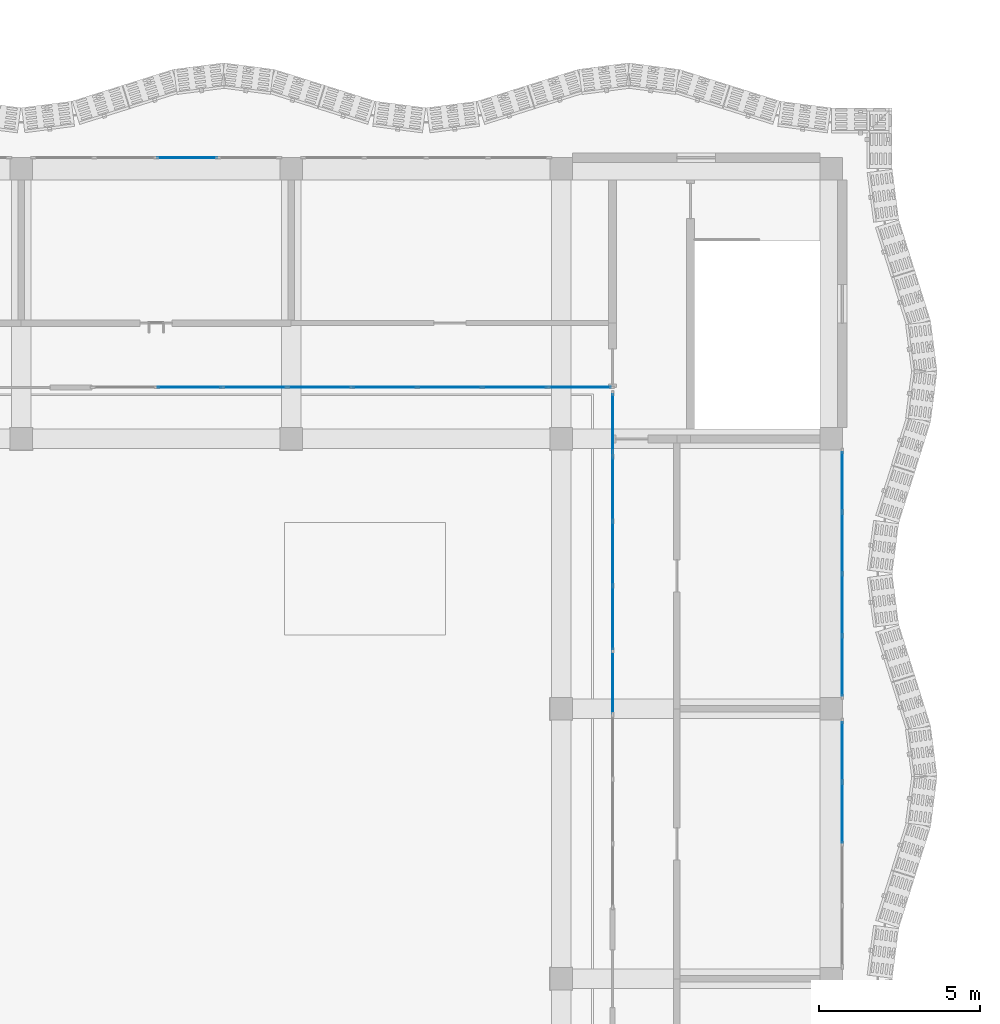
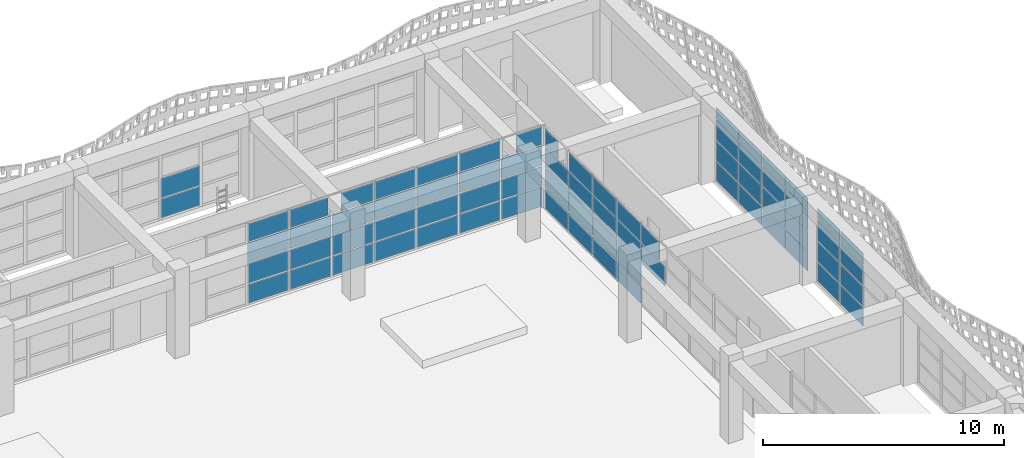
# One storey, part 33 of 85: 72 plates, 5 elements without a shape of their own.
"""IFC4 building model written with IfcOpenShell, lengths in metres."""

from ifc_helpers import new_model, si_unit, direction, frame, origin, origin_2d, place, context, subcontext, project, spatial, rectangle, extrude, material, layer, layer_set, type_object, element, aggregate, save


model = new_model("IFC4")

# Units and contexts
model_context = context("Model", 3, precision=1e-05, world=origin(), true_north=direction((0.0, 1.0)))
body_context = subcontext(model_context, "Body", "Model", "MODEL_VIEW")
ifc_project = project(units=[si_unit("LENGTHUNIT", "METRE"), si_unit("AREAUNIT", "SQUARE_METRE"), si_unit("VOLUMEUNIT", "CUBIC_METRE"), si_unit("PLANEANGLEUNIT", "RADIAN"), si_unit("MASSUNIT", "GRAM", prefix="KILO")], contexts=[model_context])

# Site, building, storey
site_placement = place(None, origin())
site = spatial("IfcSite", under=ifc_project, at=site_placement, CompositionType="ELEMENT")
building_placement = place(site_placement, origin())
building = spatial("IfcBuilding", under=site, at=building_placement, Name="Rain Tree Exposition and Congress Centre", CompositionType="ELEMENT")
storey_placement = place(building_placement, frame((0.0, 0.0, 15.0)))
storey = spatial("IfcBuildingStorey", under=building, at=storey_placement, Name="L03", CompositionType="ELEMENT", Elevation=15.0)

# Curtain wall, plates
ifc_material_1 = material(Name="Aluminium curtain wall", Category="aluminium")
curtain_wall_type = type_object("IfcCurtainWallType", Name="Wing curtain wall 1925", PredefinedType="NOTDEFINED", material=ifc_material_1)
curtain_wall_1_placement = place(storey_placement, origin())
curtain_wall_1 = element("IfcCurtainWall", 1, at=curtain_wall_1_placement, inside=storey, type_object=curtain_wall_type, Name="Curtain wall CWW406", PredefinedType="NOTDEFINED")
ifc_material_2 = material(Name="Double glazed unit", Category="glass")
ifc_layer = layer(ifc_material_2, 0.028076171875)
ifc_layer_set = layer_set([ifc_layer], Name="Double glazed unit")
plate_type = type_object("IfcPlateType", Name="Wing glazing panel 28", PredefinedType="CURTAIN_PANEL", material=ifc_layer_set)
plate_1_placement = place(storey_placement, frame((30.362548828125, 50.75, 0.06005859375), z_axis=(0.0, 0.0, 1.0), x_axis=(1.0, 0.0, 0.0)))
plate_1 = element("IfcPlate", 2, at=plate_1_placement, type_object=plate_type, Name="CWW406 panel 3.1", PredefinedType="CURTAIN_PANEL", context=body_context, shape_type="SweptSolid", body=[
    extrude(rectangle(XDim=1.864990234375, YDim=0.028076171875, at=origin_2d()), origin(), (0.0, 0.0, 1.0), 0.9599609375),
])
plate_2_placement = place(storey_placement, frame((30.362548828125, 50.75, 1.080078125), z_axis=(0.0, 0.0, 1.0), x_axis=(1.0, 0.0, 0.0)))
plate_2 = element("IfcPlate", 3, at=plate_2_placement, type_object=plate_type, Name="CWW406 panel 3.2", PredefinedType="CURTAIN_PANEL", context=body_context, shape_type="SweptSolid", body=[
    extrude(rectangle(XDim=1.864990234375, YDim=0.028076171875, at=origin_2d()), origin(), (0.0, 0.0, 1.0), 0.989990234375),
])
aggregate(curtain_wall_1, [plate_1, plate_2])

curtain_wall_2_placement = place(storey_placement, origin())
curtain_wall_2 = element("IfcCurtainWall", 4, at=curtain_wall_2_placement, inside=storey, type_object=curtain_wall_type, Name="Curtain wall CWW414", PredefinedType="NOTDEFINED")
plate_3_placement = place(storey_placement, frame((50.75, 30.362548828125, 0.06005859375), z_axis=(0.0, 0.0, 1.0), x_axis=(0.0, 1.0, 0.0)))
plate_3 = element("IfcPlate", 5, at=plate_3_placement, type_object=plate_type, Name="CWW414 panel 3.1", PredefinedType="CURTAIN_PANEL", context=body_context, shape_type="SweptSolid", body=[
    extrude(rectangle(XDim=1.864990234375, YDim=0.028076171875, at=origin_2d()), origin(), (0.0, 0.0, 1.0), 0.9599609375),
])
plate_4_placement = place(storey_placement, frame((50.75, 30.362548828125, 1.080078125), z_axis=(0.0, 0.0, 1.0), x_axis=(0.0, 1.0, 0.0)))
plate_4 = element("IfcPlate", 6, at=plate_4_placement, type_object=plate_type, Name="CWW414 panel 3.2", PredefinedType="CURTAIN_PANEL", context=body_context, shape_type="SweptSolid", body=[
    extrude(rectangle(XDim=1.864990234375, YDim=0.028076171875, at=origin_2d()), origin(), (0.0, 0.0, 1.0), 0.989990234375),
])
plate_5_placement = place(storey_placement, frame((50.75, 30.362548828125, 2.1298828125), z_axis=(0.0, 0.0, 1.0), x_axis=(0.0, 1.0, 0.0)))
plate_5 = element("IfcPlate", 7, at=plate_5_placement, type_object=plate_type, Name="CWW414 panel 3.3", PredefinedType="CURTAIN_PANEL", context=body_context, shape_type="SweptSolid", body=[
    extrude(rectangle(XDim=1.864990234375, YDim=0.028076171875, at=origin_2d()), origin(), (0.0, 0.0, 1.0), 0.989990234375),
])
plate_6_placement = place(storey_placement, frame((50.75, 30.362548828125, 3.179931640625), z_axis=(0.0, 0.0, 1.0), x_axis=(0.0, 1.0, 0.0)))
plate_6 = element("IfcPlate", 8, at=plate_6_placement, type_object=plate_type, Name="CWW414 panel 3.4", PredefinedType="CURTAIN_PANEL", context=body_context, shape_type="SweptSolid", body=[
    extrude(rectangle(XDim=1.864990234375, YDim=0.028076171875, at=origin_2d()), origin(), (0.0, 0.0, 1.0), 0.56005859375),
])
plate_7_placement = place(storey_placement, frame((50.75, 32.2724609375, 0.06005859375), z_axis=(0.0, 0.0, 1.0), x_axis=(0.0, 1.0, 0.0)))
plate_7 = element("IfcPlate", 9, at=plate_7_placement, type_object=plate_type, Name="CWW414 panel 4.1", PredefinedType="CURTAIN_PANEL", context=body_context, shape_type="SweptSolid", body=[
    extrude(rectangle(XDim=1.8349609375, YDim=0.028076171875, at=origin_2d()), origin(), (0.0, 0.0, 1.0), 0.9599609375),
])
plate_8_placement = place(storey_placement, frame((50.75, 32.2724609375, 1.080078125), z_axis=(0.0, 0.0, 1.0), x_axis=(0.0, 1.0, 0.0)))
plate_8 = element("IfcPlate", 10, at=plate_8_placement, type_object=plate_type, Name="CWW414 panel 4.2", PredefinedType="CURTAIN_PANEL", context=body_context, shape_type="SweptSolid", body=[
    extrude(rectangle(XDim=1.8349609375, YDim=0.028076171875, at=origin_2d()), origin(), (0.0, 0.0, 1.0), 0.989990234375),
])
plate_9_placement = place(storey_placement, frame((50.75, 32.2724609375, 2.1298828125), z_axis=(0.0, 0.0, 1.0), x_axis=(0.0, 1.0, 0.0)))
plate_9 = element("IfcPlate", 11, at=plate_9_placement, type_object=plate_type, Name="CWW414 panel 4.3", PredefinedType="CURTAIN_PANEL", context=body_context, shape_type="SweptSolid", body=[
    extrude(rectangle(XDim=1.8349609375, YDim=0.028076171875, at=origin_2d()), origin(), (0.0, 0.0, 1.0), 0.989990234375),
])
plate_10_placement = place(storey_placement, frame((50.75, 32.2724609375, 3.179931640625), z_axis=(0.0, 0.0, 1.0), x_axis=(0.0, 1.0, 0.0)))
plate_10 = element("IfcPlate", 12, at=plate_10_placement, type_object=plate_type, Name="CWW414 panel 4.4", PredefinedType="CURTAIN_PANEL", context=body_context, shape_type="SweptSolid", body=[
    extrude(rectangle(XDim=1.8349609375, YDim=0.028076171875, at=origin_2d()), origin(), (0.0, 0.0, 1.0), 0.56005859375),
])
aggregate(curtain_wall_2, [plate_3, plate_4, plate_5, plate_6, plate_7, plate_8, plate_9, plate_10])

curtain_wall_3_placement = place(storey_placement, origin())
curtain_wall_3 = element("IfcCurtainWall", 13, at=curtain_wall_3_placement, inside=storey, type_object=curtain_wall_type, Name="Curtain wall CWW415", PredefinedType="NOTDEFINED")
plate_11_placement = place(storey_placement, frame((50.75, 34.927490234375, 0.06005859375), z_axis=(0.0, 0.0, 1.0), x_axis=(0.0, 1.0, 0.0)))
plate_11 = element("IfcPlate", 14, at=plate_11_placement, type_object=plate_type, Name="CWW415 panel 1.1", PredefinedType="CURTAIN_PANEL", context=body_context, shape_type="SweptSolid", body=[
    extrude(rectangle(XDim=1.8349609375, YDim=0.028076171875, at=origin_2d()), origin(), (0.0, 0.0, 1.0), 0.9599609375),
])
plate_12_placement = place(storey_placement, frame((50.75, 34.927490234375, 1.080078125), z_axis=(0.0, 0.0, 1.0), x_axis=(0.0, 1.0, 0.0)))
plate_12 = element("IfcPlate", 15, at=plate_12_placement, type_object=plate_type, Name="CWW415 panel 1.2", PredefinedType="CURTAIN_PANEL", context=body_context, shape_type="SweptSolid", body=[
    extrude(rectangle(XDim=1.8349609375, YDim=0.028076171875, at=origin_2d()), origin(), (0.0, 0.0, 1.0), 0.989990234375),
])
plate_13_placement = place(storey_placement, frame((50.75, 34.927490234375, 2.1298828125), z_axis=(0.0, 0.0, 1.0), x_axis=(0.0, 1.0, 0.0)))
plate_13 = element("IfcPlate", 16, at=plate_13_placement, type_object=plate_type, Name="CWW415 panel 1.3", PredefinedType="CURTAIN_PANEL", context=body_context, shape_type="SweptSolid", body=[
    extrude(rectangle(XDim=1.8349609375, YDim=0.028076171875, at=origin_2d()), origin(), (0.0, 0.0, 1.0), 0.989990234375),
])
plate_14_placement = place(storey_placement, frame((50.75, 34.927490234375, 3.179931640625), z_axis=(0.0, 0.0, 1.0), x_axis=(0.0, 1.0, 0.0)))
plate_14 = element("IfcPlate", 17, at=plate_14_placement, type_object=plate_type, Name="CWW415 panel 1.4", PredefinedType="CURTAIN_PANEL", context=body_context, shape_type="SweptSolid", body=[
    extrude(rectangle(XDim=1.8349609375, YDim=0.028076171875, at=origin_2d()), origin(), (0.0, 0.0, 1.0), 0.56005859375),
])
plate_15_placement = place(storey_placement, frame((50.75, 36.83740234375, 0.06005859375), z_axis=(0.0, 0.0, 1.0), x_axis=(0.0, 1.0, 0.0)))
plate_15 = element("IfcPlate", 18, at=plate_15_placement, type_object=plate_type, Name="CWW415 panel 2.1", PredefinedType="CURTAIN_PANEL", context=body_context, shape_type="SweptSolid", body=[
    extrude(rectangle(XDim=1.864990234375, YDim=0.028076171875, at=origin_2d()), origin(), (0.0, 0.0, 1.0), 0.9599609375),
])
plate_16_placement = place(storey_placement, frame((50.75, 36.83740234375, 1.080078125), z_axis=(0.0, 0.0, 1.0), x_axis=(0.0, 1.0, 0.0)))
plate_16 = element("IfcPlate", 19, at=plate_16_placement, type_object=plate_type, Name="CWW415 panel 2.2", PredefinedType="CURTAIN_PANEL", context=body_context, shape_type="SweptSolid", body=[
    extrude(rectangle(XDim=1.864990234375, YDim=0.028076171875, at=origin_2d()), origin(), (0.0, 0.0, 1.0), 0.989990234375),
])
plate_17_placement = place(storey_placement, frame((50.75, 36.83740234375, 2.1298828125), z_axis=(0.0, 0.0, 1.0), x_axis=(0.0, 1.0, 0.0)))
plate_17 = element("IfcPlate", 20, at=plate_17_placement, type_object=plate_type, Name="CWW415 panel 2.3", PredefinedType="CURTAIN_PANEL", context=body_context, shape_type="SweptSolid", body=[
    extrude(rectangle(XDim=1.864990234375, YDim=0.028076171875, at=origin_2d()), origin(), (0.0, 0.0, 1.0), 0.989990234375),
])
plate_18_placement = place(storey_placement, frame((50.75, 36.83740234375, 3.179931640625), z_axis=(0.0, 0.0, 1.0), x_axis=(0.0, 1.0, 0.0)))
plate_18 = element("IfcPlate", 21, at=plate_18_placement, type_object=plate_type, Name="CWW415 panel 2.4", PredefinedType="CURTAIN_PANEL", context=body_context, shape_type="SweptSolid", body=[
    extrude(rectangle(XDim=1.864990234375, YDim=0.028076171875, at=origin_2d()), origin(), (0.0, 0.0, 1.0), 0.56005859375),
])
plate_19_placement = place(storey_placement, frame((50.75, 38.762451171875, 0.06005859375), z_axis=(0.0, 0.0, 1.0), x_axis=(0.0, 1.0, 0.0)))
plate_19 = element("IfcPlate", 22, at=plate_19_placement, type_object=plate_type, Name="CWW415 panel 3.1", PredefinedType="CURTAIN_PANEL", context=body_context, shape_type="SweptSolid", body=[
    extrude(rectangle(XDim=1.864990234375, YDim=0.028076171875, at=origin_2d()), origin(), (0.0, 0.0, 1.0), 0.9599609375),
])
plate_20_placement = place(storey_placement, frame((50.75, 38.762451171875, 1.080078125), z_axis=(0.0, 0.0, 1.0), x_axis=(0.0, 1.0, 0.0)))
plate_20 = element("IfcPlate", 23, at=plate_20_placement, type_object=plate_type, Name="CWW415 panel 3.2", PredefinedType="CURTAIN_PANEL", context=body_context, shape_type="SweptSolid", body=[
    extrude(rectangle(XDim=1.864990234375, YDim=0.028076171875, at=origin_2d()), origin(), (0.0, 0.0, 1.0), 0.989990234375),
])
plate_21_placement = place(storey_placement, frame((50.75, 38.762451171875, 2.1298828125), z_axis=(0.0, 0.0, 1.0), x_axis=(0.0, 1.0, 0.0)))
plate_21 = element("IfcPlate", 24, at=plate_21_placement, type_object=plate_type, Name="CWW415 panel 3.3", PredefinedType="CURTAIN_PANEL", context=body_context, shape_type="SweptSolid", body=[
    extrude(rectangle(XDim=1.864990234375, YDim=0.028076171875, at=origin_2d()), origin(), (0.0, 0.0, 1.0), 0.989990234375),
])
plate_22_placement = place(storey_placement, frame((50.75, 38.762451171875, 3.179931640625), z_axis=(0.0, 0.0, 1.0), x_axis=(0.0, 1.0, 0.0)))
plate_22 = element("IfcPlate", 25, at=plate_22_placement, type_object=plate_type, Name="CWW415 panel 3.4", PredefinedType="CURTAIN_PANEL", context=body_context, shape_type="SweptSolid", body=[
    extrude(rectangle(XDim=1.864990234375, YDim=0.028076171875, at=origin_2d()), origin(), (0.0, 0.0, 1.0), 0.56005859375),
])
plate_23_placement = place(storey_placement, frame((50.75, 40.672607421875, 0.06005859375), z_axis=(0.0, 0.0, 1.0), x_axis=(0.0, 1.0, 0.0)))
plate_23 = element("IfcPlate", 26, at=plate_23_placement, type_object=plate_type, Name="CWW415 panel 4.1", PredefinedType="CURTAIN_PANEL", context=body_context, shape_type="SweptSolid", body=[
    extrude(rectangle(XDim=1.8349609375, YDim=0.028076171875, at=origin_2d()), origin(), (0.0, 0.0, 1.0), 0.9599609375),
])
plate_24_placement = place(storey_placement, frame((50.75, 40.672607421875, 1.080078125), z_axis=(0.0, 0.0, 1.0), x_axis=(0.0, 1.0, 0.0)))
plate_24 = element("IfcPlate", 27, at=plate_24_placement, type_object=plate_type, Name="CWW415 panel 4.2", PredefinedType="CURTAIN_PANEL", context=body_context, shape_type="SweptSolid", body=[
    extrude(rectangle(XDim=1.8349609375, YDim=0.028076171875, at=origin_2d()), origin(), (0.0, 0.0, 1.0), 0.989990234375),
])
plate_25_placement = place(storey_placement, frame((50.75, 40.672607421875, 2.1298828125), z_axis=(0.0, 0.0, 1.0), x_axis=(0.0, 1.0, 0.0)))
plate_25 = element("IfcPlate", 28, at=plate_25_placement, type_object=plate_type, Name="CWW415 panel 4.3", PredefinedType="CURTAIN_PANEL", context=body_context, shape_type="SweptSolid", body=[
    extrude(rectangle(XDim=1.8349609375, YDim=0.028076171875, at=origin_2d()), origin(), (0.0, 0.0, 1.0), 0.989990234375),
])
plate_26_placement = place(storey_placement, frame((50.75, 40.672607421875, 3.179931640625), z_axis=(0.0, 0.0, 1.0), x_axis=(0.0, 1.0, 0.0)))
plate_26 = element("IfcPlate", 29, at=plate_26_placement, type_object=plate_type, Name="CWW415 panel 4.4", PredefinedType="CURTAIN_PANEL", context=body_context, shape_type="SweptSolid", body=[
    extrude(rectangle(XDim=1.8349609375, YDim=0.028076171875, at=origin_2d()), origin(), (0.0, 0.0, 1.0), 0.56005859375),
])
aggregate(curtain_wall_3, [plate_11, plate_12, plate_13, plate_14, plate_15, plate_16, plate_17, plate_18, plate_19, plate_20, plate_21, plate_22, plate_23, plate_24, plate_25, plate_26])

curtain_wall_4_placement = place(storey_placement, origin())
curtain_wall_4 = element("IfcCurtainWall", 30, at=curtain_wall_4_placement, inside=storey, type_object=curtain_wall_type, Name="Curtain wall CWW504", PredefinedType="NOTDEFINED")
plate_27_placement = place(storey_placement, frame((30.4375, 43.60009765625, 0.06005859375), z_axis=(0.0, 0.0, 1.0), x_axis=(1.0, 0.0, 0.0)))
plate_27 = element("IfcPlate", 31, at=plate_27_placement, type_object=plate_type, Name="CWW504 panel 2.1", PredefinedType="CURTAIN_PANEL", context=body_context, shape_type="SweptSolid", body=[
    extrude(rectangle(XDim=1.965087890625, YDim=0.028076171875, at=origin_2d()), origin(), (0.0, 0.0, 1.0), 0.9599609375),
])
plate_28_placement = place(storey_placement, frame((30.4375, 43.60009765625, 1.080078125), z_axis=(0.0, 0.0, 1.0), x_axis=(1.0, 0.0, 0.0)))
plate_28 = element("IfcPlate", 32, at=plate_28_placement, type_object=plate_type, Name="CWW504 panel 2.2", PredefinedType="CURTAIN_PANEL", context=body_context, shape_type="SweptSolid", body=[
    extrude(rectangle(XDim=1.965087890625, YDim=0.028076171875, at=origin_2d()), origin(), (0.0, 0.0, 1.0), 0.989990234375),
])
plate_29_placement = place(storey_placement, frame((30.4375, 43.60009765625, 2.1298828125), z_axis=(0.0, 0.0, 1.0), x_axis=(1.0, 0.0, 0.0)))
plate_29 = element("IfcPlate", 33, at=plate_29_placement, type_object=plate_type, Name="CWW504 panel 2.3", PredefinedType="CURTAIN_PANEL", context=body_context, shape_type="SweptSolid", body=[
    extrude(rectangle(XDim=1.965087890625, YDim=0.028076171875, at=origin_2d()), origin(), (0.0, 0.0, 1.0), 0.989990234375),
])
plate_30_placement = place(storey_placement, frame((30.4375, 43.60009765625, 3.18017578125), z_axis=(0.0, 0.0, 1.0), x_axis=(1.0, 0.0, 0.0)))
plate_30 = element("IfcPlate", 34, at=plate_30_placement, type_object=plate_type, Name="CWW504 panel 2.4", PredefinedType="CURTAIN_PANEL", context=body_context, shape_type="SweptSolid", body=[
    extrude(rectangle(XDim=1.965087890625, YDim=0.028076171875, at=origin_2d()), origin(), (0.0, 0.0, 1.0), 0.909912109375),
])
plate_31_placement = place(storey_placement, frame((32.46240234375, 43.60009765625, 0.06005859375), z_axis=(0.0, 0.0, 1.0), x_axis=(1.0, 0.0, 0.0)))
plate_31 = element("IfcPlate", 35, at=plate_31_placement, type_object=plate_type, Name="CWW504 panel 3.1", PredefinedType="CURTAIN_PANEL", context=body_context, shape_type="SweptSolid", body=[
    extrude(rectangle(XDim=1.965087890625, YDim=0.028076171875, at=origin_2d()), origin(), (0.0, 0.0, 1.0), 0.9599609375),
])
plate_32_placement = place(storey_placement, frame((32.46240234375, 43.60009765625, 1.080078125), z_axis=(0.0, 0.0, 1.0), x_axis=(1.0, 0.0, 0.0)))
plate_32 = element("IfcPlate", 36, at=plate_32_placement, type_object=plate_type, Name="CWW504 panel 3.2", PredefinedType="CURTAIN_PANEL", context=body_context, shape_type="SweptSolid", body=[
    extrude(rectangle(XDim=1.965087890625, YDim=0.028076171875, at=origin_2d()), origin(), (0.0, 0.0, 1.0), 0.989990234375),
])
plate_33_placement = place(storey_placement, frame((32.46240234375, 43.60009765625, 2.1298828125), z_axis=(0.0, 0.0, 1.0), x_axis=(1.0, 0.0, 0.0)))
plate_33 = element("IfcPlate", 37, at=plate_33_placement, type_object=plate_type, Name="CWW504 panel 3.3", PredefinedType="CURTAIN_PANEL", context=body_context, shape_type="SweptSolid", body=[
    extrude(rectangle(XDim=1.965087890625, YDim=0.028076171875, at=origin_2d()), origin(), (0.0, 0.0, 1.0), 0.989990234375),
])
plate_34_placement = place(storey_placement, frame((32.375, 43.60009765625, 3.18017578125), z_axis=(0.0, 0.0, 1.0), x_axis=(1.0, 0.0, 0.0)))
plate_34 = element("IfcPlate", 38, at=plate_34_placement, type_object=plate_type, Name="CWW504 panel 3.4", PredefinedType="CURTAIN_PANEL", context=body_context, shape_type="SweptSolid", body=[
    extrude(rectangle(XDim=1.7900390625, YDim=0.028076171875, at=origin_2d()), origin(), (0.0, 0.0, 1.0), 0.909912109375),
])
plate_35_placement = place(storey_placement, frame((34.487548828125, 43.60009765625, 0.06005859375), z_axis=(0.0, 0.0, 1.0), x_axis=(1.0, 0.0, 0.0)))
plate_35 = element("IfcPlate", 39, at=plate_35_placement, type_object=plate_type, Name="CWW504 panel 4.1", PredefinedType="CURTAIN_PANEL", context=body_context, shape_type="SweptSolid", body=[
    extrude(rectangle(XDim=1.965087890625, YDim=0.028076171875, at=origin_2d()), origin(), (0.0, 0.0, 1.0), 0.9599609375),
])
plate_36_placement = place(storey_placement, frame((34.487548828125, 43.60009765625, 1.080078125), z_axis=(0.0, 0.0, 1.0), x_axis=(1.0, 0.0, 0.0)))
plate_36 = element("IfcPlate", 40, at=plate_36_placement, type_object=plate_type, Name="CWW504 panel 4.2", PredefinedType="CURTAIN_PANEL", context=body_context, shape_type="SweptSolid", body=[
    extrude(rectangle(XDim=1.965087890625, YDim=0.028076171875, at=origin_2d()), origin(), (0.0, 0.0, 1.0), 0.989990234375),
])
plate_37_placement = place(storey_placement, frame((34.487548828125, 43.60009765625, 2.1298828125), z_axis=(0.0, 0.0, 1.0), x_axis=(1.0, 0.0, 0.0)))
plate_37 = element("IfcPlate", 41, at=plate_37_placement, type_object=plate_type, Name="CWW504 panel 4.3", PredefinedType="CURTAIN_PANEL", context=body_context, shape_type="SweptSolid", body=[
    extrude(rectangle(XDim=1.965087890625, YDim=0.028076171875, at=origin_2d()), origin(), (0.0, 0.0, 1.0), 0.989990234375),
])
plate_38_placement = place(storey_placement, frame((34.699951171875, 43.60009765625, 3.18017578125), z_axis=(0.0, 0.0, 1.0), x_axis=(1.0, 0.0, 0.0)))
plate_38 = element("IfcPlate", 42, at=plate_38_placement, type_object=plate_type, Name="CWW504 panel 4.4", PredefinedType="CURTAIN_PANEL", context=body_context, shape_type="SweptSolid", body=[
    extrude(rectangle(XDim=1.5400390625, YDim=0.028076171875, at=origin_2d()), origin(), (0.0, 0.0, 1.0), 0.909912109375),
])
plate_39_placement = place(storey_placement, frame((36.512451171875, 43.60009765625, 0.06005859375), z_axis=(0.0, 0.0, 1.0), x_axis=(1.0, 0.0, 0.0)))
plate_39 = element("IfcPlate", 43, at=plate_39_placement, type_object=plate_type, Name="CWW504 panel 5.1", PredefinedType="CURTAIN_PANEL", context=body_context, shape_type="SweptSolid", body=[
    extrude(rectangle(XDim=1.965087890625, YDim=0.028076171875, at=origin_2d()), origin(), (0.0, 0.0, 1.0), 0.9599609375),
])
plate_40_placement = place(storey_placement, frame((36.512451171875, 43.60009765625, 1.080078125), z_axis=(0.0, 0.0, 1.0), x_axis=(1.0, 0.0, 0.0)))
plate_40 = element("IfcPlate", 44, at=plate_40_placement, type_object=plate_type, Name="CWW504 panel 5.2", PredefinedType="CURTAIN_PANEL", context=body_context, shape_type="SweptSolid", body=[
    extrude(rectangle(XDim=1.965087890625, YDim=0.028076171875, at=origin_2d()), origin(), (0.0, 0.0, 1.0), 0.989990234375),
])
plate_41_placement = place(storey_placement, frame((36.512451171875, 43.60009765625, 2.1298828125), z_axis=(0.0, 0.0, 1.0), x_axis=(1.0, 0.0, 0.0)))
plate_41 = element("IfcPlate", 45, at=plate_41_placement, type_object=plate_type, Name="CWW504 panel 5.3", PredefinedType="CURTAIN_PANEL", context=body_context, shape_type="SweptSolid", body=[
    extrude(rectangle(XDim=1.965087890625, YDim=0.028076171875, at=origin_2d()), origin(), (0.0, 0.0, 1.0), 0.989990234375),
])
plate_42_placement = place(storey_placement, frame((36.512451171875, 43.60009765625, 3.18017578125), z_axis=(0.0, 0.0, 1.0), x_axis=(1.0, 0.0, 0.0)))
plate_42 = element("IfcPlate", 46, at=plate_42_placement, type_object=plate_type, Name="CWW504 panel 5.4", PredefinedType="CURTAIN_PANEL", context=body_context, shape_type="SweptSolid", body=[
    extrude(rectangle(XDim=1.965087890625, YDim=0.028076171875, at=origin_2d()), origin(), (0.0, 0.0, 1.0), 0.909912109375),
])
plate_43_placement = place(storey_placement, frame((38.53759765625, 43.60009765625, 0.06005859375), z_axis=(0.0, 0.0, 1.0), x_axis=(1.0, 0.0, 0.0)))
plate_43 = element("IfcPlate", 47, at=plate_43_placement, type_object=plate_type, Name="CWW504 panel 6.1", PredefinedType="CURTAIN_PANEL", context=body_context, shape_type="SweptSolid", body=[
    extrude(rectangle(XDim=1.965087890625, YDim=0.028076171875, at=origin_2d()), origin(), (0.0, 0.0, 1.0), 0.9599609375),
])
plate_44_placement = place(storey_placement, frame((38.53759765625, 43.60009765625, 1.080078125), z_axis=(0.0, 0.0, 1.0), x_axis=(1.0, 0.0, 0.0)))
plate_44 = element("IfcPlate", 48, at=plate_44_placement, type_object=plate_type, Name="CWW504 panel 6.2", PredefinedType="CURTAIN_PANEL", context=body_context, shape_type="SweptSolid", body=[
    extrude(rectangle(XDim=1.965087890625, YDim=0.028076171875, at=origin_2d()), origin(), (0.0, 0.0, 1.0), 0.989990234375),
])
plate_45_placement = place(storey_placement, frame((38.53759765625, 43.60009765625, 2.1298828125), z_axis=(0.0, 0.0, 1.0), x_axis=(1.0, 0.0, 0.0)))
plate_45 = element("IfcPlate", 49, at=plate_45_placement, type_object=plate_type, Name="CWW504 panel 6.3", PredefinedType="CURTAIN_PANEL", context=body_context, shape_type="SweptSolid", body=[
    extrude(rectangle(XDim=1.965087890625, YDim=0.028076171875, at=origin_2d()), origin(), (0.0, 0.0, 1.0), 0.989990234375),
])
plate_46_placement = place(storey_placement, frame((38.53759765625, 43.60009765625, 3.18017578125), z_axis=(0.0, 0.0, 1.0), x_axis=(1.0, 0.0, 0.0)))
plate_46 = element("IfcPlate", 50, at=plate_46_placement, type_object=plate_type, Name="CWW504 panel 6.4", PredefinedType="CURTAIN_PANEL", context=body_context, shape_type="SweptSolid", body=[
    extrude(rectangle(XDim=1.965087890625, YDim=0.028076171875, at=origin_2d()), origin(), (0.0, 0.0, 1.0), 0.909912109375),
])
plate_47_placement = place(storey_placement, frame((40.5625, 43.60009765625, 0.06005859375), z_axis=(0.0, 0.0, 1.0), x_axis=(1.0, 0.0, 0.0)))
plate_47 = element("IfcPlate", 51, at=plate_47_placement, type_object=plate_type, Name="CWW504 panel 7.1", PredefinedType="CURTAIN_PANEL", context=body_context, shape_type="SweptSolid", body=[
    extrude(rectangle(XDim=1.965087890625, YDim=0.028076171875, at=origin_2d()), origin(), (0.0, 0.0, 1.0), 0.9599609375),
])
plate_48_placement = place(storey_placement, frame((40.5625, 43.60009765625, 1.080078125), z_axis=(0.0, 0.0, 1.0), x_axis=(1.0, 0.0, 0.0)))
plate_48 = element("IfcPlate", 52, at=plate_48_placement, type_object=plate_type, Name="CWW504 panel 7.2", PredefinedType="CURTAIN_PANEL", context=body_context, shape_type="SweptSolid", body=[
    extrude(rectangle(XDim=1.965087890625, YDim=0.028076171875, at=origin_2d()), origin(), (0.0, 0.0, 1.0), 0.989990234375),
])
plate_49_placement = place(storey_placement, frame((40.5625, 43.60009765625, 2.1298828125), z_axis=(0.0, 0.0, 1.0), x_axis=(1.0, 0.0, 0.0)))
plate_49 = element("IfcPlate", 53, at=plate_49_placement, type_object=plate_type, Name="CWW504 panel 7.3", PredefinedType="CURTAIN_PANEL", context=body_context, shape_type="SweptSolid", body=[
    extrude(rectangle(XDim=1.965087890625, YDim=0.028076171875, at=origin_2d()), origin(), (0.0, 0.0, 1.0), 0.989990234375),
])
plate_50_placement = place(storey_placement, frame((40.5625, 43.60009765625, 3.18017578125), z_axis=(0.0, 0.0, 1.0), x_axis=(1.0, 0.0, 0.0)))
plate_50 = element("IfcPlate", 54, at=plate_50_placement, type_object=plate_type, Name="CWW504 panel 7.4", PredefinedType="CURTAIN_PANEL", context=body_context, shape_type="SweptSolid", body=[
    extrude(rectangle(XDim=1.965087890625, YDim=0.028076171875, at=origin_2d()), origin(), (0.0, 0.0, 1.0), 0.909912109375),
])
plate_51_placement = place(storey_placement, frame((42.572509765625, 43.60009765625, 0.06005859375), z_axis=(0.0, 0.0, 1.0), x_axis=(1.0, 0.0, 0.0)))
plate_51 = element("IfcPlate", 55, at=plate_51_placement, type_object=plate_type, Name="CWW504 panel 8.1", PredefinedType="CURTAIN_PANEL", context=body_context, shape_type="SweptSolid", body=[
    extrude(rectangle(XDim=1.93505859375, YDim=0.028076171875, at=origin_2d()), origin(), (0.0, 0.0, 1.0), 0.9599609375),
])
plate_52_placement = place(storey_placement, frame((42.572509765625, 43.60009765625, 1.080078125), z_axis=(0.0, 0.0, 1.0), x_axis=(1.0, 0.0, 0.0)))
plate_52 = element("IfcPlate", 56, at=plate_52_placement, type_object=plate_type, Name="CWW504 panel 8.2", PredefinedType="CURTAIN_PANEL", context=body_context, shape_type="SweptSolid", body=[
    extrude(rectangle(XDim=1.93505859375, YDim=0.028076171875, at=origin_2d()), origin(), (0.0, 0.0, 1.0), 0.989990234375),
])
plate_53_placement = place(storey_placement, frame((42.572509765625, 43.60009765625, 2.1298828125), z_axis=(0.0, 0.0, 1.0), x_axis=(1.0, 0.0, 0.0)))
plate_53 = element("IfcPlate", 57, at=plate_53_placement, type_object=plate_type, Name="CWW504 panel 8.3", PredefinedType="CURTAIN_PANEL", context=body_context, shape_type="SweptSolid", body=[
    extrude(rectangle(XDim=1.93505859375, YDim=0.028076171875, at=origin_2d()), origin(), (0.0, 0.0, 1.0), 0.989990234375),
])
plate_54_placement = place(storey_placement, frame((42.93505859375, 43.60009765625, 3.18017578125), z_axis=(0.0, 0.0, 1.0), x_axis=(1.0, 0.0, 0.0)))
plate_54 = element("IfcPlate", 58, at=plate_54_placement, type_object=plate_type, Name="CWW504 panel 8.4", PredefinedType="CURTAIN_PANEL", context=body_context, shape_type="SweptSolid", body=[
    extrude(rectangle(XDim=1.2099609375, YDim=0.028076171875, at=origin_2d()), origin(), (0.0, 0.0, 1.0), 0.909912109375),
])
aggregate(curtain_wall_4, [plate_27, plate_28, plate_29, plate_30, plate_31, plate_32, plate_33, plate_34, plate_35, plate_36, plate_37, plate_38, plate_39, plate_40, plate_41, plate_42, plate_43, plate_44, plate_45, plate_46, plate_47, plate_48, plate_49, plate_50, plate_51, plate_52, plate_53, plate_54])

curtain_wall_5_placement = place(storey_placement, origin())
curtain_wall_5 = element("IfcCurtainWall", 59, at=curtain_wall_5_placement, inside=storey, type_object=curtain_wall_type, Name="Curtain wall CWW508", PredefinedType="NOTDEFINED")
plate_55_placement = place(storey_placement, frame((43.60009765625, 34.421875, 2.1298828125), z_axis=(0.0, 0.0, 1.0), x_axis=(0.0, 1.0, 0.0)))
plate_55 = element("IfcPlate", 60, at=plate_55_placement, type_object=plate_type, Name="CWW508 panel 4.3", PredefinedType="CURTAIN_PANEL", context=body_context, shape_type="SweptSolid", body=[
    extrude(rectangle(XDim=1.9462890625, YDim=0.028076171875, at=origin_2d()), origin(), (0.0, 0.0, 1.0), 0.989990234375),
])
plate_56_placement = place(storey_placement, frame((43.60009765625, 34.66259765625, 3.18017578125), z_axis=(0.0, 0.0, 1.0), x_axis=(0.0, 1.0, 0.0)))
plate_56 = element("IfcPlate", 61, at=plate_56_placement, type_object=plate_type, Name="CWW508 panel 4.4", PredefinedType="CURTAIN_PANEL", context=body_context, shape_type="SweptSolid", body=[
    extrude(rectangle(XDim=1.465087890625, YDim=0.028076171875, at=origin_2d()), origin(), (0.0, 0.0, 1.0), 0.909912109375),
])
plate_57_placement = place(storey_placement, frame((43.60009765625, 36.42822265625, 0.06005859375), z_axis=(0.0, 0.0, 1.0), x_axis=(0.0, 1.0, 0.0)))
plate_57 = element("IfcPlate", 62, at=plate_57_placement, type_object=plate_type, Name="CWW508 panel 5.1", PredefinedType="CURTAIN_PANEL", context=body_context, shape_type="SweptSolid", body=[
    extrude(rectangle(XDim=1.9462890625, YDim=0.028076171875, at=origin_2d()), origin(), (0.0, 0.0, 1.0), 0.9599609375),
])
plate_58_placement = place(storey_placement, frame((43.60009765625, 36.42822265625, 1.080078125), z_axis=(0.0, 0.0, 1.0), x_axis=(0.0, 1.0, 0.0)))
plate_58 = element("IfcPlate", 63, at=plate_58_placement, type_object=plate_type, Name="CWW508 panel 5.2", PredefinedType="CURTAIN_PANEL", context=body_context, shape_type="SweptSolid", body=[
    extrude(rectangle(XDim=1.9462890625, YDim=0.028076171875, at=origin_2d()), origin(), (0.0, 0.0, 1.0), 0.989990234375),
])
plate_59_placement = place(storey_placement, frame((43.60009765625, 36.42822265625, 2.1298828125), z_axis=(0.0, 0.0, 1.0), x_axis=(0.0, 1.0, 0.0)))
plate_59 = element("IfcPlate", 64, at=plate_59_placement, type_object=plate_type, Name="CWW508 panel 5.3", PredefinedType="CURTAIN_PANEL", context=body_context, shape_type="SweptSolid", body=[
    extrude(rectangle(XDim=1.9462890625, YDim=0.028076171875, at=origin_2d()), origin(), (0.0, 0.0, 1.0), 0.989990234375),
])
plate_60_placement = place(storey_placement, frame((43.60009765625, 36.42822265625, 3.18017578125), z_axis=(0.0, 0.0, 1.0), x_axis=(0.0, 1.0, 0.0)))
plate_60 = element("IfcPlate", 65, at=plate_60_placement, type_object=plate_type, Name="CWW508 panel 5.4", PredefinedType="CURTAIN_PANEL", context=body_context, shape_type="SweptSolid", body=[
    extrude(rectangle(XDim=1.9462890625, YDim=0.028076171875, at=origin_2d()), origin(), (0.0, 0.0, 1.0), 0.909912109375),
])
plate_61_placement = place(storey_placement, frame((43.60009765625, 38.434326171875, 0.06005859375), z_axis=(0.0, 0.0, 1.0), x_axis=(0.0, 1.0, 0.0)))
plate_61 = element("IfcPlate", 66, at=plate_61_placement, type_object=plate_type, Name="CWW508 panel 6.1", PredefinedType="CURTAIN_PANEL", context=body_context, shape_type="SweptSolid", body=[
    extrude(rectangle(XDim=1.9462890625, YDim=0.028076171875, at=origin_2d()), origin(), (0.0, 0.0, 1.0), 0.9599609375),
])
plate_62_placement = place(storey_placement, frame((43.60009765625, 38.434326171875, 1.080078125), z_axis=(0.0, 0.0, 1.0), x_axis=(0.0, 1.0, 0.0)))
plate_62 = element("IfcPlate", 67, at=plate_62_placement, type_object=plate_type, Name="CWW508 panel 6.2", PredefinedType="CURTAIN_PANEL", context=body_context, shape_type="SweptSolid", body=[
    extrude(rectangle(XDim=1.9462890625, YDim=0.028076171875, at=origin_2d()), origin(), (0.0, 0.0, 1.0), 0.989990234375),
])
plate_63_placement = place(storey_placement, frame((43.60009765625, 38.434326171875, 2.1298828125), z_axis=(0.0, 0.0, 1.0), x_axis=(0.0, 1.0, 0.0)))
plate_63 = element("IfcPlate", 68, at=plate_63_placement, type_object=plate_type, Name="CWW508 panel 6.3", PredefinedType="CURTAIN_PANEL", context=body_context, shape_type="SweptSolid", body=[
    extrude(rectangle(XDim=1.9462890625, YDim=0.028076171875, at=origin_2d()), origin(), (0.0, 0.0, 1.0), 0.989990234375),
])
plate_64_placement = place(storey_placement, frame((43.60009765625, 38.434326171875, 3.18017578125), z_axis=(0.0, 0.0, 1.0), x_axis=(0.0, 1.0, 0.0)))
plate_64 = element("IfcPlate", 69, at=plate_64_placement, type_object=plate_type, Name="CWW508 panel 6.4", PredefinedType="CURTAIN_PANEL", context=body_context, shape_type="SweptSolid", body=[
    extrude(rectangle(XDim=1.9462890625, YDim=0.028076171875, at=origin_2d()), origin(), (0.0, 0.0, 1.0), 0.909912109375),
])
plate_65_placement = place(storey_placement, frame((43.60009765625, 40.440673828125, 0.06005859375), z_axis=(0.0, 0.0, 1.0), x_axis=(0.0, 1.0, 0.0)))
plate_65 = element("IfcPlate", 70, at=plate_65_placement, type_object=plate_type, Name="CWW508 panel 7.1", PredefinedType="CURTAIN_PANEL", context=body_context, shape_type="SweptSolid", body=[
    extrude(rectangle(XDim=1.9462890625, YDim=0.028076171875, at=origin_2d()), origin(), (0.0, 0.0, 1.0), 0.9599609375),
])
plate_66_placement = place(storey_placement, frame((43.60009765625, 40.440673828125, 1.080078125), z_axis=(0.0, 0.0, 1.0), x_axis=(0.0, 1.0, 0.0)))
plate_66 = element("IfcPlate", 71, at=plate_66_placement, type_object=plate_type, Name="CWW508 panel 7.2", PredefinedType="CURTAIN_PANEL", context=body_context, shape_type="SweptSolid", body=[
    extrude(rectangle(XDim=1.9462890625, YDim=0.028076171875, at=origin_2d()), origin(), (0.0, 0.0, 1.0), 0.989990234375),
])
plate_67_placement = place(storey_placement, frame((43.60009765625, 40.440673828125, 2.1298828125), z_axis=(0.0, 0.0, 1.0), x_axis=(0.0, 1.0, 0.0)))
plate_67 = element("IfcPlate", 72, at=plate_67_placement, type_object=plate_type, Name="CWW508 panel 7.3", PredefinedType="CURTAIN_PANEL", context=body_context, shape_type="SweptSolid", body=[
    extrude(rectangle(XDim=1.9462890625, YDim=0.028076171875, at=origin_2d()), origin(), (0.0, 0.0, 1.0), 0.989990234375),
])
plate_68_placement = place(storey_placement, frame((43.60009765625, 40.440673828125, 3.18017578125), z_axis=(0.0, 0.0, 1.0), x_axis=(0.0, 1.0, 0.0)))
plate_68 = element("IfcPlate", 73, at=plate_68_placement, type_object=plate_type, Name="CWW508 panel 7.4", PredefinedType="CURTAIN_PANEL", context=body_context, shape_type="SweptSolid", body=[
    extrude(rectangle(XDim=1.9462890625, YDim=0.028076171875, at=origin_2d()), origin(), (0.0, 0.0, 1.0), 0.909912109375),
])
plate_69_placement = place(storey_placement, frame((43.60009765625, 42.431884765625, 0.06005859375), z_axis=(0.0, 0.0, 1.0), x_axis=(0.0, 1.0, 0.0)))
plate_69 = element("IfcPlate", 74, at=plate_69_placement, type_object=plate_type, Name="CWW508 panel 8.1", PredefinedType="CURTAIN_PANEL", context=body_context, shape_type="SweptSolid", body=[
    extrude(rectangle(XDim=1.916259765625, YDim=0.028076171875, at=origin_2d()), origin(), (0.0, 0.0, 1.0), 0.9599609375),
])
plate_70_placement = place(storey_placement, frame((43.60009765625, 42.431884765625, 1.080078125), z_axis=(0.0, 0.0, 1.0), x_axis=(0.0, 1.0, 0.0)))
plate_70 = element("IfcPlate", 75, at=plate_70_placement, type_object=plate_type, Name="CWW508 panel 8.2", PredefinedType="CURTAIN_PANEL", context=body_context, shape_type="SweptSolid", body=[
    extrude(rectangle(XDim=1.916259765625, YDim=0.028076171875, at=origin_2d()), origin(), (0.0, 0.0, 1.0), 0.989990234375),
])
plate_71_placement = place(storey_placement, frame((43.60009765625, 42.431884765625, 2.1298828125), z_axis=(0.0, 0.0, 1.0), x_axis=(0.0, 1.0, 0.0)))
plate_71 = element("IfcPlate", 76, at=plate_71_placement, type_object=plate_type, Name="CWW508 panel 8.3", PredefinedType="CURTAIN_PANEL", context=body_context, shape_type="SweptSolid", body=[
    extrude(rectangle(XDim=1.916259765625, YDim=0.028076171875, at=origin_2d()), origin(), (0.0, 0.0, 1.0), 0.989990234375),
])
plate_72_placement = place(storey_placement, frame((43.60009765625, 42.860107421875, 3.18017578125), z_axis=(0.0, 0.0, 1.0), x_axis=(0.0, 1.0, 0.0)))
plate_72 = element("IfcPlate", 77, at=plate_72_placement, type_object=plate_type, Name="CWW508 panel 8.4.2", PredefinedType="CURTAIN_PANEL", context=body_context, shape_type="SweptSolid", body=[
    extrude(rectangle(XDim=1.06005859375, YDim=0.028076171875, at=origin_2d()), origin(), (0.0, 0.0, 1.0), 0.909912109375),
])
aggregate(curtain_wall_5, [plate_55, plate_56, plate_57, plate_58, plate_59, plate_60, plate_61, plate_62, plate_63, plate_64, plate_65, plate_66, plate_67, plate_68, plate_69, plate_70, plate_71, plate_72])

save(model, "model.ifc")
